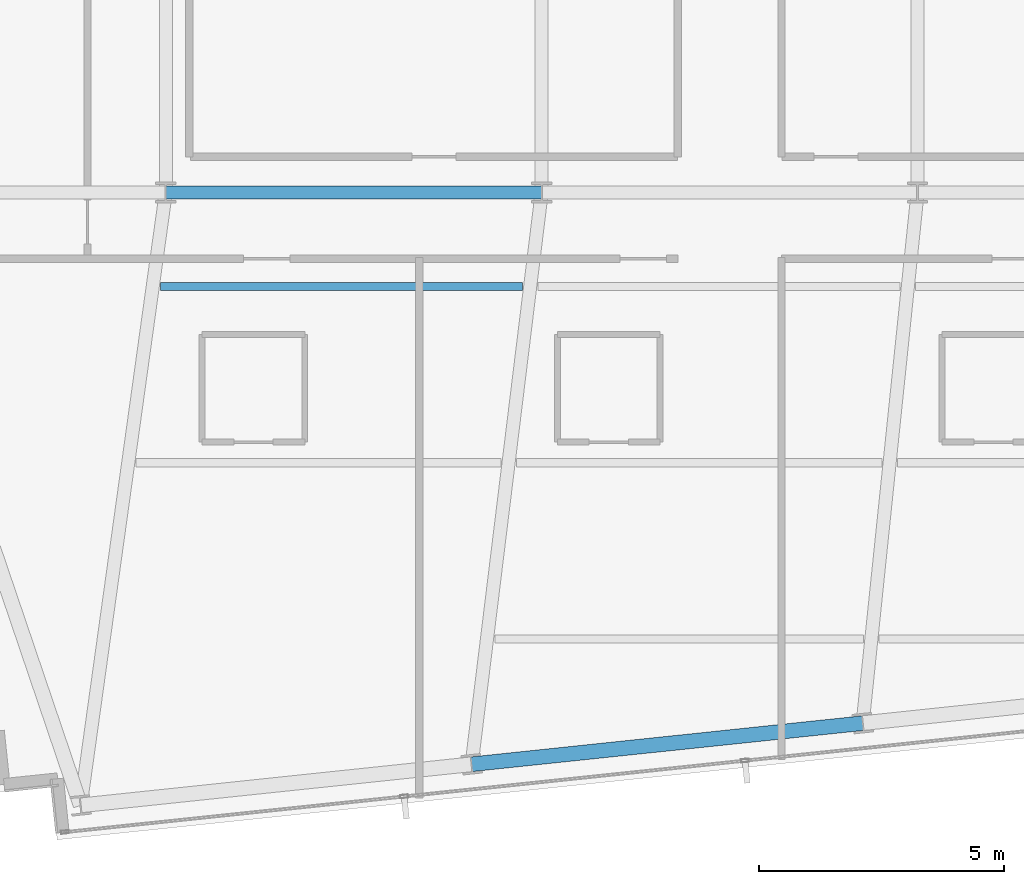
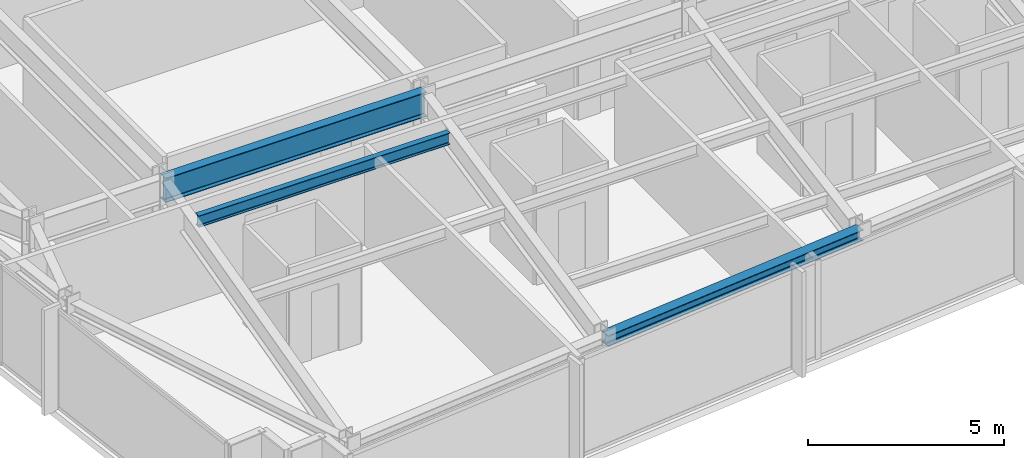
# One storey, part 6 of 33: 3 beams.
"""IFC4 building model written with IfcOpenShell, lengths in metres."""

from ifc_helpers import new_model, si_unit, direction, frame, origin, origin_2d, place, context, subcontext, project, spatial, i_section, extrude, material, material_profile, profile_set, type_object, element, save


model = new_model("IFC4")

# Units and contexts
model_context = context("Model", 3, precision=1e-05, world=origin(), true_north=direction((0.0, 1.0)))
body_context = subcontext(model_context, "Body", "Model", "MODEL_VIEW")
ifc_project = project(units=[si_unit("LENGTHUNIT", "METRE"), si_unit("AREAUNIT", "SQUARE_METRE"), si_unit("VOLUMEUNIT", "CUBIC_METRE"), si_unit("PLANEANGLEUNIT", "RADIAN"), si_unit("MASSUNIT", "GRAM", prefix="KILO")], contexts=[model_context])

# Site, building, storey
site_placement = place(None, origin())
site = spatial("IfcSite", under=ifc_project, at=site_placement, CompositionType="ELEMENT")
building_placement = place(site_placement, origin())
building = spatial("IfcBuilding", under=site, at=building_placement, Name="Yelkora Congress Tower", CompositionType="ELEMENT")
storey_placement = place(building_placement, frame((0.0, 0.0, 221.0)))
storey = spatial("IfcBuildingStorey", under=building, at=storey_placement, Name="L61", CompositionType="ELEMENT", Elevation=221.0)

# Beams
ifc_material = material(Name="Steel S355J2", Category="steel")
ifc_material_profile_1 = material_profile(ifc_material, i_section(OverallWidth=0.26708984375, OverallDepth=0.761962890625, WebThickness=0.014404296875, FlangeThickness=0.021484375, FilletRadius=0.01708984375, at=origin_2d()), Name="IPE 750x173")
ifc_profile_set_1 = profile_set([ifc_material_profile_1], Name="Steel S355J2")
beam_type_1 = type_object("IfcBeamType", Name="BM-GIRD-IPE750", PredefinedType="BEAM", material=ifc_profile_set_1)
beam_1_placement = place(storey_placement, frame((23.0400390625, 25.199951171875, 2.698974609375), z_axis=(1.0, 0.0, 0.0), x_axis=(0.0, 1.0, 0.0)))
element("IfcBeam", 1, at=beam_1_placement, inside=storey, type_object=beam_type_1, Name="L61 Spine Grid D Girder 2", PredefinedType="BEAM", context=body_context, shape_type="SweptSolid", body=[
    extrude(i_section(OverallWidth=0.26708984375, OverallDepth=0.761962890625, WebThickness=0.014404296875, FlangeThickness=0.021484375, FilletRadius=0.01708984375, at=origin_2d()), origin(), (0.0, 0.0, 1.0), 7.679931640625),
])
ifc_material_profile_2 = material_profile(ifc_material, i_section(OverallWidth=0.169921875, OverallDepth=0.360107421875, WebThickness=0.008056640625, FlangeThickness=0.0126953125, FilletRadius=0.01806640625, at=origin_2d()), Name="IPE 360")
ifc_profile_set_2 = profile_set([ifc_material_profile_2], Name="Steel S355J2")
beam_type_2 = type_object("IfcBeamType", Name="BM-JOIST-IPE360", PredefinedType="JOIST", material=ifc_profile_set_2)
beam_2_placement = place(storey_placement, frame((22.932861328125, 23.278564453125, 2.89990234375), z_axis=(1.0, 0.0, 0.0), x_axis=(0.0, 1.0, 0.0)))
element("IfcBeam", 2, at=beam_2_placement, inside=storey, type_object=beam_type_2, Name="L61 Composite Floor Joist 9", PredefinedType="JOIST", context=body_context, shape_type="SweptSolid", body=[
    extrude(i_section(OverallWidth=0.169921875, OverallDepth=0.360107421875, WebThickness=0.008056640625, FlangeThickness=0.0126953125, FilletRadius=0.01806640625, at=origin_2d()), origin(), (0.0, 0.0, 1.0), 7.3916015625),
])
ifc_material_profile_3 = material_profile(ifc_material, i_section(OverallWidth=0.300048828125, OverallDepth=0.340087890625, WebThickness=0.011962890625, FlangeThickness=0.021484375, FilletRadius=0.027099609375, at=origin_2d()), Name="HEB 340")
ifc_profile_set_3 = profile_set([ifc_material_profile_3], Name="Steel S355J2")
beam_type_3 = type_object("IfcBeamType", Name="BM-SPAN-HEB340", PredefinedType="SPANDREL", material=ifc_profile_set_3)
beam_3_placement = place(storey_placement, frame((29.288330078125, 13.518310546875, 2.909912109375), z_axis=(0.994523256947, 0.104515507904, 0.0), x_axis=(-0.104515507904, 0.994523256947, 0.0)))
element("IfcBeam", 3, at=beam_3_placement, inside=storey, type_object=beam_type_3, Name="L61 Perimeter Beam 4", PredefinedType="SPANDREL", context=body_context, shape_type="SweptSolid", body=[
    extrude(i_section(OverallWidth=0.300048828125, OverallDepth=0.340087890625, WebThickness=0.011962890625, FlangeThickness=0.021484375, FilletRadius=0.027099609375, at=origin_2d()), origin(), (0.0, 0.0, 1.0), 8.033203125),
])

save(model, "model.ifc")
